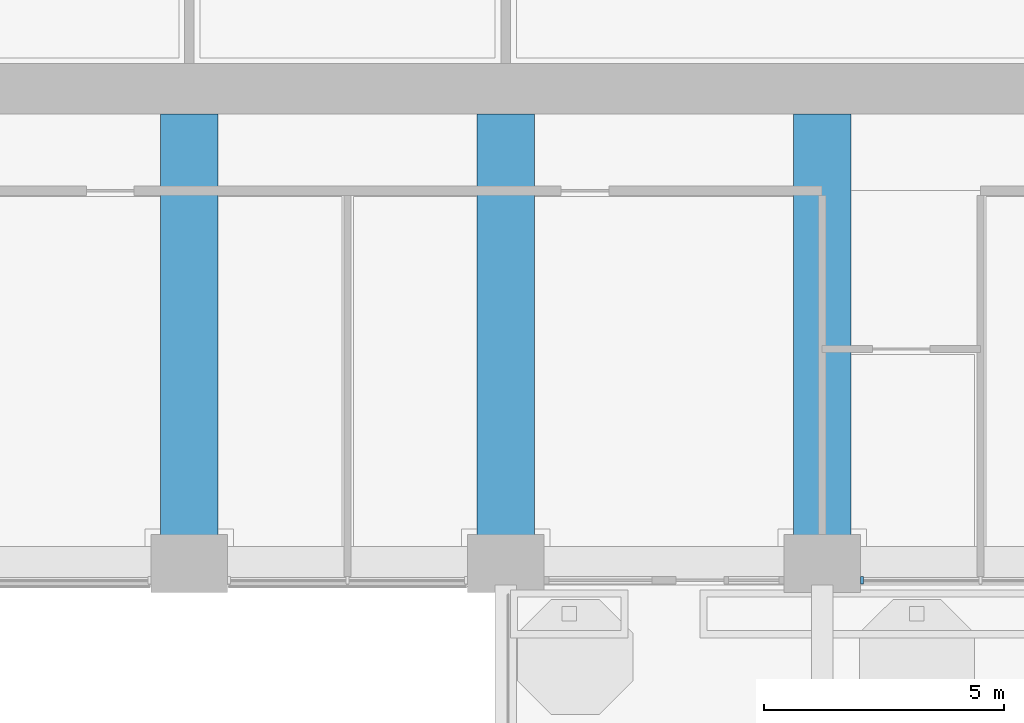
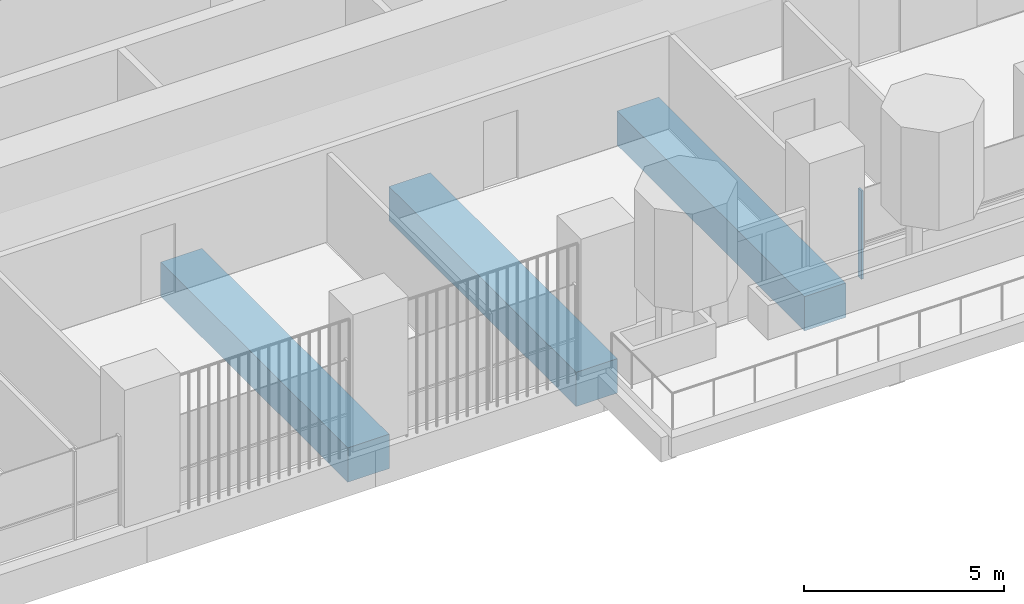
# One storey, part 3 of 20: 3 beams, 1 member, 1 element without a shape of its own.
"""IFC4 building model written with IfcOpenShell, lengths in metres."""

from ifc_helpers import new_model, si_unit, direction, frame, origin, origin_2d, place, context, subcontext, project, spatial, rectangle, extrude, material, material_profile, profile_set, type_object, element, aggregate, save


model = new_model("IFC4")

# Units and contexts
model_context = context("Model", 3, precision=1e-05, world=origin(), true_north=direction((0.0, 1.0)))
body_context = subcontext(model_context, "Body", "Model", "MODEL_VIEW")
ifc_project = project(units=[si_unit("LENGTHUNIT", "METRE"), si_unit("AREAUNIT", "SQUARE_METRE"), si_unit("VOLUMEUNIT", "CUBIC_METRE"), si_unit("PLANEANGLEUNIT", "RADIAN"), si_unit("MASSUNIT", "GRAM", prefix="KILO")], contexts=[model_context])

# Site, building, storey
site_placement = place(None, origin())
site = spatial("IfcSite", under=ifc_project, at=site_placement, CompositionType="ELEMENT")
building_placement = place(site_placement, origin())
building = spatial("IfcBuilding", under=site, at=building_placement, Name="Cobogo Forest Laboratory Tower", CompositionType="ELEMENT")
storey_placement = place(building_placement, frame((0.0, 0.0, 180.89990234375)))
storey = spatial("IfcBuildingStorey", under=building, at=storey_placement, Name="L41", CompositionType="ELEMENT", Elevation=180.89990234375)

# Beams
ifc_material_1 = material(Name="Concrete HA-40 (C40/50)", Category="concrete")
ifc_material_profile_1 = material_profile(ifc_material_1, rectangle(XDim=1.199951171875, YDim=1.050048828125, at=origin_2d()), Name="RC 1200x1050")
ifc_profile_set_1 = profile_set([ifc_material_profile_1], Name="Concrete HA-40 (C40/50)")
beam_type = type_object("IfcBeamType", Name="Laboratory floor wide beam 1200x1050", PredefinedType="BEAM", material=ifc_profile_set_1)
for number, where, z_axis, x_axis, name in (
    (1, (19.800048828125, 12.675048828125, -0.824951171875), (0.0, -1.0, 0.0), (1.0, 0.0, 0.0), "RB1 R-4-S L41"),
    (2, (26.39990234375, 12.675048828125, -0.824951171875), (0.0, -1.0, 0.0), (1.0, 0.0, 0.0), "RB1 R-5-S L41"),
    (3, (33.0, 12.675048828125, -0.824951171875), (0.0, -1.0, 0.0), (1.0, 0.0, 0.0), "RB1 R-6-S L41"),
):
    element("IfcBeam", number, at=place(storey_placement, frame(where, z_axis=z_axis, x_axis=x_axis)), inside=storey, type_object=beam_type, Name=name, PredefinedType="BEAM", context=body_context, shape_type="SweptSolid", body=[
        extrude(rectangle(XDim=1.199951171875, YDim=1.050048828125, at=origin_2d()), origin(), (0.0, 0.0, 1.0), 9.375),
    ])

# Curtain wall, member
ifc_material_2 = material(Name="Aluminium curtain wall", Category="aluminium")
curtain_wall_type = type_object("IfcCurtainWallType", Name="CW-2 unitised curtain wall, solar control glazing, laboratory floors zones C and D", PredefinedType="USERDEFINED", material=ifc_material_2)
curtain_wall_placement = place(storey_placement, origin())
curtain_wall = element("IfcCurtainWall", 4, at=curtain_wall_placement, inside=storey, type_object=curtain_wall_type, Name="Curtain wall 05 L41", ObjectType="UNITISED CURTAIN WALL", PredefinedType="USERDEFINED")
ifc_material_3 = material(Name="Aluminium mullion", Category="aluminium")
ifc_material_profile_2 = material_profile(ifc_material_3, rectangle(XDim=0.06005859375, YDim=0.159912109375, at=origin_2d()), Name="AL 60x160")
ifc_profile_set_2 = profile_set([ifc_material_profile_2], Name="Aluminium mullion")
member_type = type_object("IfcMemberType", Name="MU-1 aluminium mullion 60x160", PredefinedType="MULLION", material=ifc_profile_set_2)
member_placement = place(storey_placement, frame((33.830078125, 2.949951171875, 0.0), z_axis=(0.0, 0.0, 1.0), x_axis=(1.0, 0.0, 0.0)))
member = element("IfcMember", 5, at=member_placement, type_object=member_type, Name="CW-2 mullion 1", PredefinedType="MULLION", context=body_context, shape_type="SweptSolid", body=[
    extrude(rectangle(XDim=0.06005859375, YDim=0.159912109375, at=origin_2d()), origin(), (0.0, 0.0, 1.0), 2.7001953125),
])
aggregate(curtain_wall, [member])

save(model, "model.ifc")
